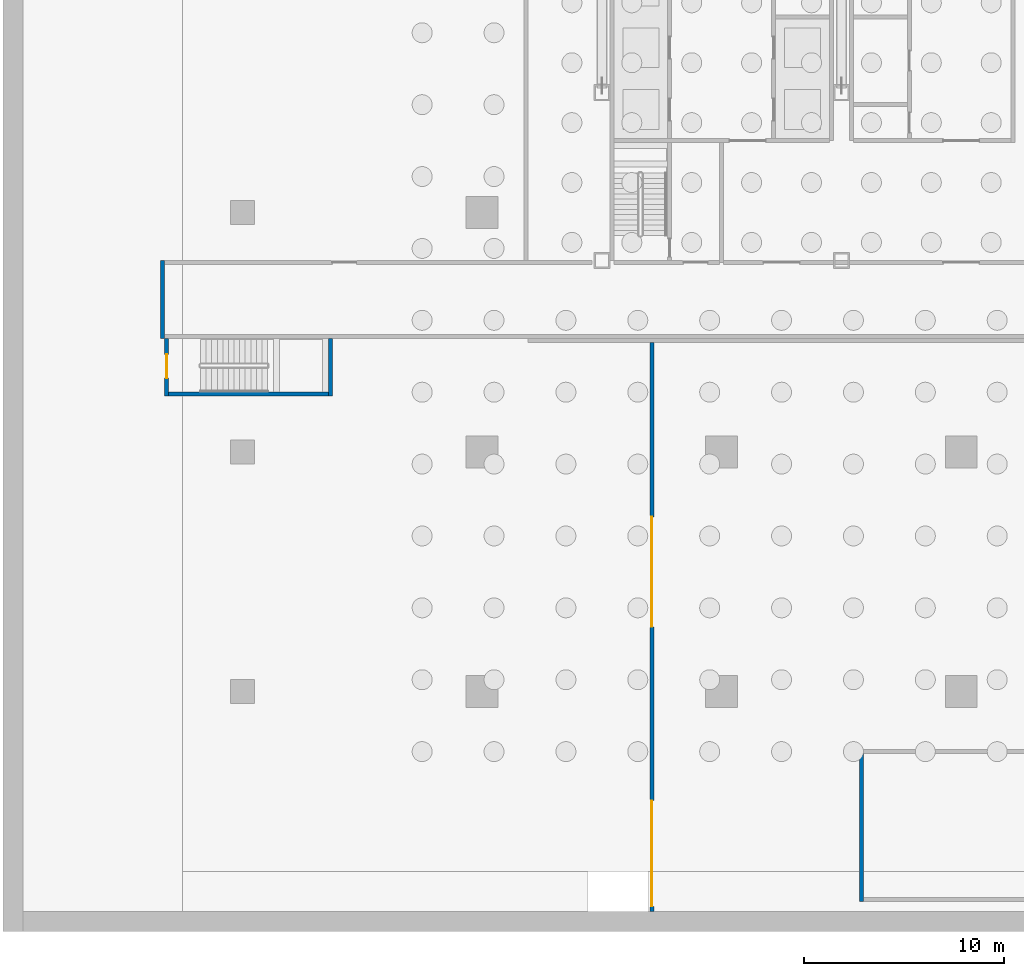
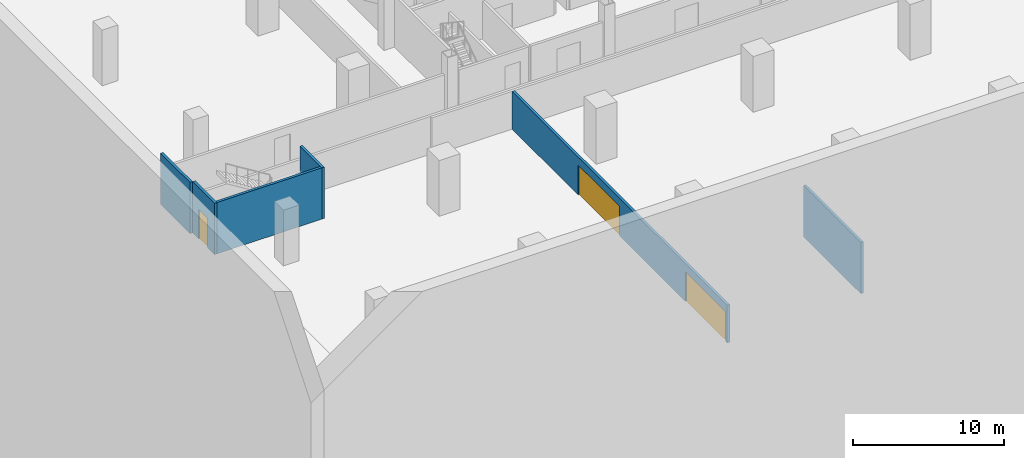
# One storey, part 4 of 18: 6 walls, 3 doors, 3 openings.
"""IFC4 building model written with IfcOpenShell, lengths in metres."""

from ifc_helpers import new_model, si_unit, direction, frame, frame_2d, origin, place, context, subcontext, project, spatial, rectangle, extrude, material, layer, layer_set, type_object, element, fill, save


model = new_model("IFC4")

# Units and contexts
model_context = context("Model", 3, precision=1e-05, world=origin(), true_north=direction((0.0, 1.0)))
body_context = subcontext(model_context, "Body", "Model", "MODEL_VIEW")
ifc_project = project(units=[si_unit("LENGTHUNIT", "METRE"), si_unit("AREAUNIT", "SQUARE_METRE"), si_unit("VOLUMEUNIT", "CUBIC_METRE"), si_unit("PLANEANGLEUNIT", "RADIAN"), si_unit("MASSUNIT", "GRAM", prefix="KILO")], contexts=[model_context])

# Site, building, storey
site_placement = place(None, origin())
site = spatial("IfcSite", under=ifc_project, at=site_placement, CompositionType="ELEMENT")
building_placement = place(site_placement, origin())
building = spatial("IfcBuilding", under=site, at=building_placement, Name="Sorahane Residences", CompositionType="ELEMENT")
storey_placement = place(building_placement, frame((0.0, 0.0, -13.5)))
storey = spatial("IfcBuildingStorey", under=building, at=storey_placement, Name="B3", CompositionType="ELEMENT", Elevation=-13.5)

# Wall
ifc_material_1 = material(Name="Concrete blockwork C20 wall", Category="masonry")
ifc_layer_1 = layer(ifc_material_1, 0.199951171875)
ifc_layer_set_1 = layer_set([ifc_layer_1], Name="Fire wall 200 EI 120")
wall_type_1 = type_object("IfcWallType", Name="Fire wall 200 EI 120", PredefinedType="SOLIDWALL", material=ifc_layer_set_1)
wall_1_placement = place(storey_placement, frame((-16.0, 17.699951171875, 0.0), z_axis=(0.0, 0.0, 1.0), x_axis=(0.0, 1.0, 0.0)))
element("IfcWall", 1, at=wall_1_placement, inside=storey, type_object=wall_type_1, Name="B3 fire wall", PredefinedType="SOLIDWALL", context=body_context, shape_type="SweptSolid", body=[
    extrude(rectangle(XDim=3.900146484375, YDim=0.199951171875, at=frame_2d((1.9501953125, 0.0))), origin(), (0.0, 0.0, 1.0), 4.14990234375),
])

# Wall, opening, door
wall_2_placement = place(storey_placement, frame((-15.800048828125, 14.800048828125, 0.0), z_axis=(0.0, 0.0, 1.0), x_axis=(0.0, 1.0, 0.0)))
wall_2 = element("IfcWall", 2, at=wall_2_placement, inside=storey, type_object=wall_type_1, Name="B3 fire wall", PredefinedType="SOLIDWALL", context=body_context, shape_type="SweptSolid", body=[
    extrude(rectangle(XDim=2.89990234375, YDim=0.199951171875, at=frame_2d((1.449951171875, 0.0))), origin(), (0.0, 0.0, 1.0), 4.14990234375),
])
opening_1_placement = place(wall_2_placement, frame((0.89990234375, 0.0, 0.0)))
opening_1 = element("IfcOpeningElement", 3, at=opening_1_placement, cuts=wall_2, Name="Opening B3-11", PredefinedType="OPENING", context=body_context, shape_type="SweptSolid", body=[
    extrude(rectangle(XDim=1.199951171875, YDim=2.39990234375, at=frame_2d((0.60009765625, 1.199951171875))), frame((0.0, 0.10986328125, 0.0), z_axis=(0.0, -1.0, 0.0), x_axis=(1.0, 0.0, 0.0)), (0.0, 0.0, 1.0), 0.219970703125),
])
ifc_material_2 = material(Name="Steel", Category="steel")
door_type_1 = type_object("IfcDoorType", Name="Stair door 1200x2400 FD60", OperationType="NOTDEFINED", PredefinedType="DOOR", material=ifc_material_2)
door_1_placement = place(opening_1_placement, origin())
door_1 = element("IfcDoor", 4, at=door_1_placement, inside=storey, type_object=door_type_1, Name="Stair door B3-11", OperationType="SINGLE_SWING_LEFT", OverallHeight=2.39990234375, OverallWidth=1.199951171875, PredefinedType="DOOR", context=body_context, shape_type="SweptSolid", body=[
    extrude(rectangle(XDim=1.199951171875, YDim=2.39990234375, at=frame_2d((0.60009765625, 1.199951171875))), frame((0.0, 0.02490234375, 0.0), z_axis=(0.0, -1.0, 0.0), x_axis=(1.0, 0.0, 0.0)), (0.0, 0.0, 1.0), 0.050048828125),
])
fill(opening_1, door_1)

# Wall
wall_3_placement = place(storey_placement, frame((-7.60009765625, 14.800048828125, 0.0), z_axis=(0.0, 0.0, 1.0), x_axis=(0.0, 1.0, 0.0)))
element("IfcWall", 5, at=wall_3_placement, inside=storey, type_object=wall_type_1, Name="B3 fire wall", PredefinedType="SOLIDWALL", context=body_context, shape_type="SweptSolid", body=[
    extrude(rectangle(XDim=2.89990234375, YDim=0.199951171875, at=frame_2d((1.449951171875, 0.0))), origin(), (0.0, 0.0, 1.0), 4.14990234375),
])

# Wall, openings, doors
wall_4_placement = place(storey_placement, frame((8.5, -11.0, 0.0), z_axis=(0.0, 0.0, 1.0), x_axis=(0.0, 1.0, 0.0)))
wall_4 = element("IfcWall", 6, at=wall_4_placement, inside=storey, type_object=wall_type_1, Name="B3 fire wall", PredefinedType="SOLIDWALL", context=body_context, shape_type="SweptSolid", body=[
    extrude(rectangle(XDim=28.5, YDim=0.199951171875, at=frame_2d((14.25, 0.0))), origin(), (0.0, 0.0, 1.0), 3.050048828125),
])
opening_2_placement = place(wall_4_placement, frame((0.25, 0.0, 0.0)))
opening_2 = element("IfcOpeningElement", 7, at=opening_2_placement, cuts=wall_4, Name="Opening B3-17", PredefinedType="OPENING", context=body_context, shape_type="SweptSolid", body=[
    extrude(rectangle(XDim=5.300048828125, YDim=2.39990234375, at=frame_2d((2.64990234375, 1.199951171875))), frame((0.0, 0.10986328125, 0.0), z_axis=(0.0, -1.0, 0.0), x_axis=(1.0, 0.0, 0.0)), (0.0, 0.0, 1.0), 0.219970703125),
])
opening_3_placement = place(wall_4_placement, frame((14.25, 0.0, 0.0)))
opening_3 = element("IfcOpeningElement", 8, at=opening_3_placement, cuts=wall_4, Name="Opening B3-18", PredefinedType="OPENING", context=body_context, shape_type="SweptSolid", body=[
    extrude(rectangle(XDim=5.5, YDim=2.39990234375, at=frame_2d((2.75, 1.199951171875))), frame((0.0, 0.10986328125, 0.0), z_axis=(0.0, -1.0, 0.0), x_axis=(1.0, 0.0, 0.0)), (0.0, 0.0, 1.0), 0.219970703125),
])
ifc_material_3 = material(Name="Steel", Category="steel")
door_type_2 = type_object("IfcDoorType", Name="Fire door 5300x2400 FD60", OperationType="NOTDEFINED", PredefinedType="DOOR", material=ifc_material_3)
door_2_placement = place(opening_2_placement, origin())
door_2 = element("IfcDoor", 9, at=door_2_placement, inside=storey, type_object=door_type_2, Name="Fire door B3-17", OperationType="SINGLE_SWING_LEFT", OverallHeight=2.39990234375, OverallWidth=5.300048828125, PredefinedType="DOOR", context=body_context, shape_type="SweptSolid", body=[
    extrude(rectangle(XDim=5.300048828125, YDim=2.39990234375, at=frame_2d((2.64990234375, 1.199951171875))), frame((0.0, 0.02490234375, 0.0), z_axis=(0.0, -1.0, 0.0), x_axis=(1.0, 0.0, 0.0)), (0.0, 0.0, 1.0), 0.050048828125),
])
fill(opening_2, door_2)
ifc_material_4 = material(Name="Steel", Category="steel")
door_type_3 = type_object("IfcDoorType", Name="Fire door 5500x2400 FD60", OperationType="NOTDEFINED", PredefinedType="DOOR", material=ifc_material_4)
door_3_placement = place(opening_3_placement, origin())
door_3 = element("IfcDoor", 10, at=door_3_placement, inside=storey, type_object=door_type_3, Name="Fire door B3-18", OperationType="SINGLE_SWING_RIGHT", OverallHeight=2.39990234375, OverallWidth=5.5, PredefinedType="DOOR", context=body_context, shape_type="SweptSolid", body=[
    extrude(rectangle(XDim=5.5, YDim=2.39990234375, at=frame_2d((2.75, 1.199951171875))), frame((0.0, 0.02490234375, 0.0), z_axis=(0.0, -1.0, 0.0), x_axis=(1.0, 0.0, 0.0)), (0.0, 0.0, 1.0), 0.050048828125),
])
fill(opening_3, door_3)

# Walls
wall_5_placement = place(storey_placement, frame((19.0, -10.5, 0.0), z_axis=(0.0, 0.0, 1.0), x_axis=(0.0, 1.0, 0.0)))
element("IfcWall", 11, at=wall_5_placement, inside=storey, type_object=wall_type_1, Name="B3 fire wall", PredefinedType="SOLIDWALL", context=body_context, shape_type="SweptSolid", body=[
    extrude(rectangle(XDim=7.60009765625, YDim=0.199951171875, at=frame_2d((3.800048828125, 0.0))), origin(), (0.0, 0.0, 1.0), 4.14990234375),
])
ifc_material_5 = material(Name="Concrete C30", Category="concrete")
ifc_layer_2 = layer(ifc_material_5, 0.199951171875)
ifc_layer_set_2 = layer_set([ifc_layer_2], Name="Stair enclosure wall 200 EI 120")
wall_type_2 = type_object("IfcWallType", Name="Stair enclosure wall 200 EI 120", PredefinedType="SOLIDWALL", material=ifc_layer_set_2)
wall_6_placement = place(storey_placement, frame((-15.699951171875, 14.89990234375, 0.0), z_axis=(0.0, 0.0, 1.0), x_axis=(1.0, 0.0, 0.0)))
element("IfcWall", 12, at=wall_6_placement, inside=storey, type_object=wall_type_2, Name="B3 fire wall", PredefinedType="SOLIDWALL", context=body_context, shape_type="SweptSolid", body=[
    extrude(rectangle(XDim=8.0, YDim=0.199951171875, at=frame_2d((4.0, 0.0))), origin(), (0.0, 0.0, 1.0), 4.14990234375),
])

save(model, "model.ifc")
